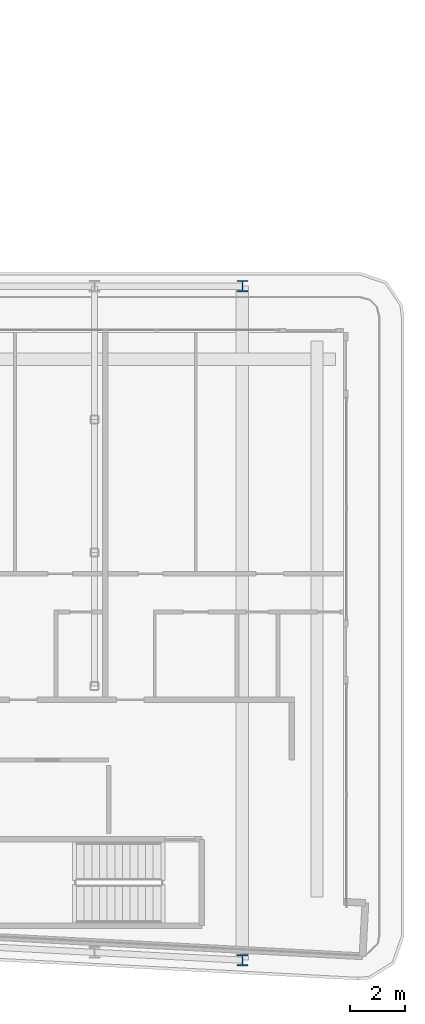
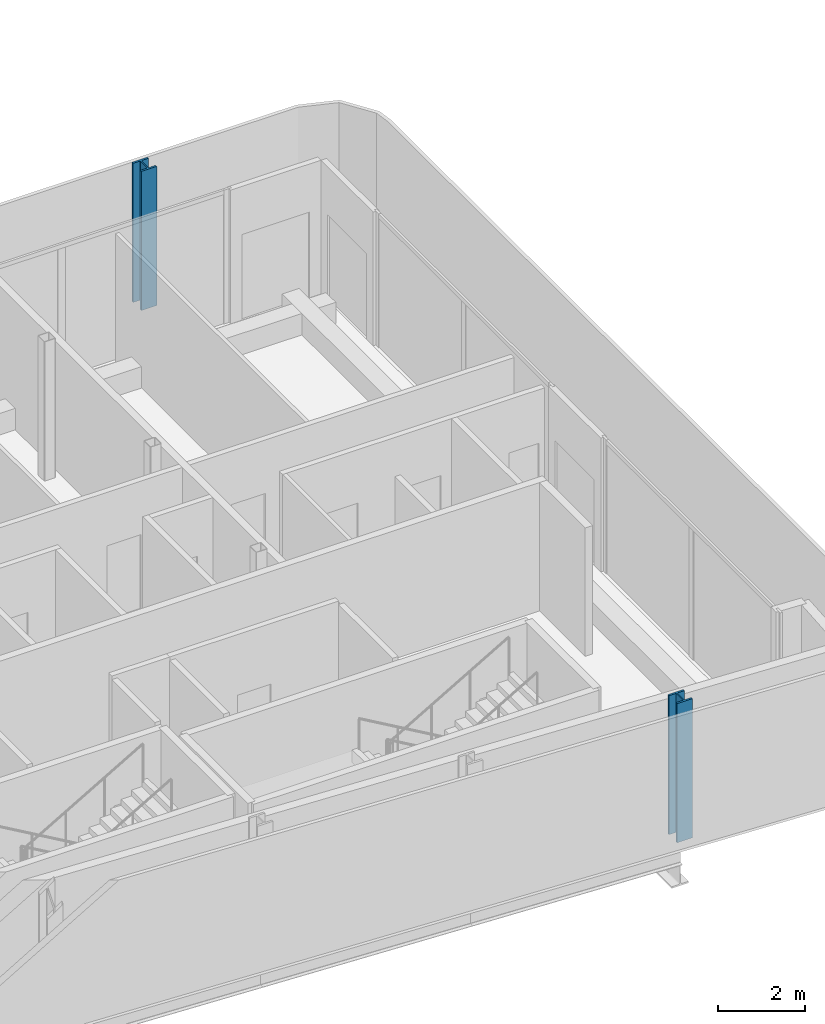
# One storey, part 4 of 29: 2 columns.
"""IFC4 building model written with IfcOpenShell, lengths in metres."""

from ifc_helpers import new_model, si_unit, direction, frame, origin, origin_2d, place, context, subcontext, project, spatial, i_section, extrude, material, material_profile, profile_set, type_object, element, save


model = new_model("IFC4")

# Units and contexts
model_context = context("Model", 3, precision=1e-05, world=origin(), true_north=direction((0.0, 1.0)))
body_context = subcontext(model_context, "Body", "Model", "MODEL_VIEW")
ifc_project = project(units=[si_unit("LENGTHUNIT", "METRE"), si_unit("AREAUNIT", "SQUARE_METRE"), si_unit("VOLUMEUNIT", "CUBIC_METRE"), si_unit("PLANEANGLEUNIT", "RADIAN"), si_unit("MASSUNIT", "GRAM", prefix="KILO")], contexts=[model_context])

# Site, building, storey
site_placement = place(None, origin())
site = spatial("IfcSite", under=ifc_project, at=site_placement, CompositionType="ELEMENT")
building_placement = place(site_placement, origin())
building = spatial("IfcBuilding", under=site, at=building_placement, Name="Kheshtan School and Residences Tower", CompositionType="ELEMENT")
storey_placement = place(building_placement, frame((0.0, 0.0, 168.199951171875)))
storey = spatial("IfcBuildingStorey", under=building, at=storey_placement, Name="L39", CompositionType="ELEMENT", Elevation=168.199951171875)

# Columns
ifc_material = material(Name="Steel ASTM A992 Grade 50", Category="steel")
ifc_material_profile = material_profile(ifc_material, i_section(OverallWidth=0.408935546875, OverallDepth=0.425048828125, WebThickness=0.03271484375, FlangeThickness=0.052490234375, FilletRadius=0.0126953125, at=origin_2d()), Name="W360x421")
ifc_profile_set = profile_set([ifc_material_profile], Name="Steel ASTM A992 Grade 50")
column_type = type_object("IfcColumnType", Name="Column C3 W360x421 ASTM A992 Grade 50", PredefinedType="COLUMN", material=ifc_profile_set)
for number, where, z_axis, x_axis, name in (
    (1, (90.800048828125, 20.989990234375, 0.0), (0.0, 0.0, 1.0), (1.0, 0.0, 0.0), "Column C006"),
    (2, (90.800048828125, 45.60009765625, 0.0), (0.0, 0.0, 1.0), (1.0, 0.0, 0.0), "Column C068"),
):
    element("IfcColumn", number, at=place(storey_placement, frame(where, z_axis=z_axis, x_axis=x_axis)), inside=storey, type_object=column_type, Name=name, PredefinedType="COLUMN", context=body_context, shape_type="SweptSolid", body=[
        extrude(i_section(OverallWidth=0.408935546875, OverallDepth=0.425048828125, WebThickness=0.03271484375, FlangeThickness=0.052490234375, FilletRadius=0.0126953125, at=origin_2d()), origin(), (0.0, 0.0, 1.0), 3.900146484375),
    ])

save(model, "model.ifc")
